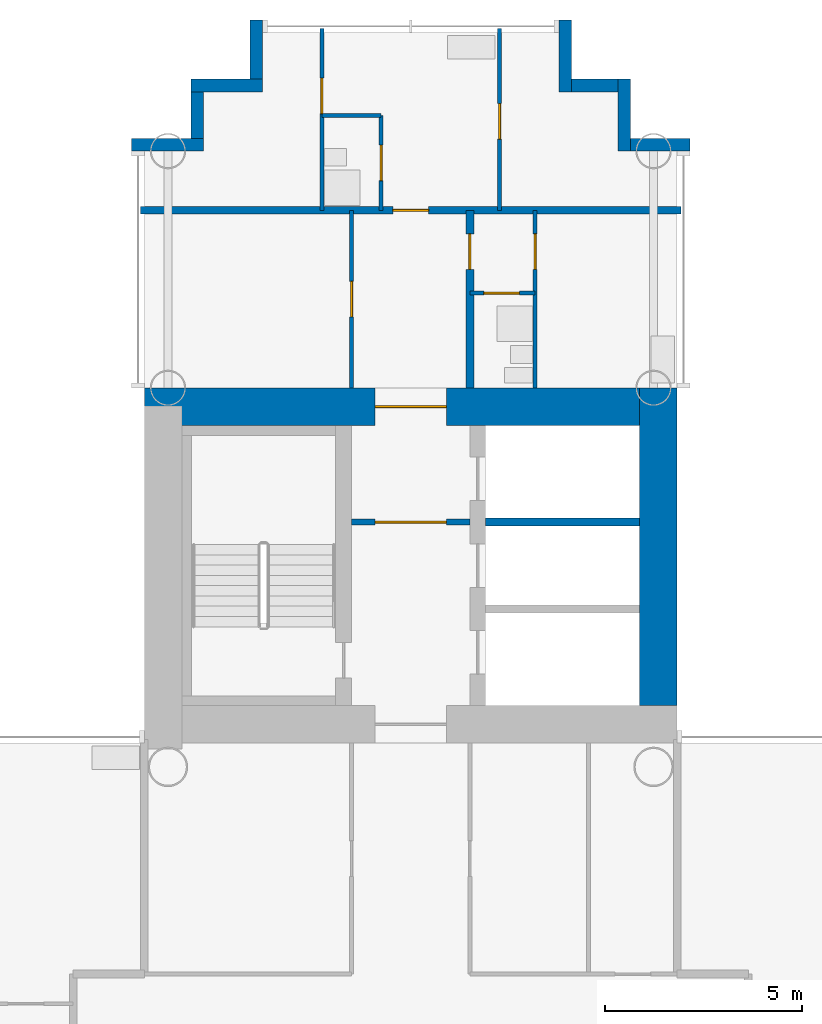
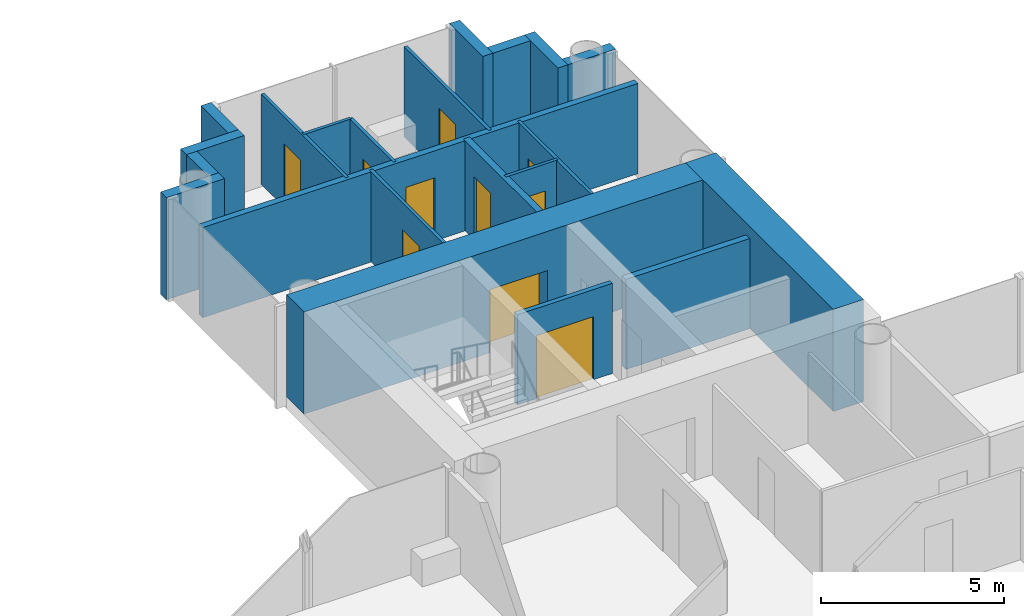
# One storey, part 14 of 21: 21 walls, 10 doors, 10 openings.
"""IFC4 building model written with IfcOpenShell, lengths in metres."""

from ifc_helpers import new_model, si_unit, direction, frame, frame_2d, origin, place, context, subcontext, project, spatial, rectangle, extrude, material, layer, layer_set, type_object, element, fill, save


model = new_model("IFC4")

# Units and contexts
model_context = context("Model", 3, precision=1e-05, world=origin(), true_north=direction((0.0, 1.0)))
body_context = subcontext(model_context, "Body", "Model", "MODEL_VIEW")
ifc_project = project(units=[si_unit("LENGTHUNIT", "METRE"), si_unit("AREAUNIT", "SQUARE_METRE"), si_unit("VOLUMEUNIT", "CUBIC_METRE"), si_unit("PLANEANGLEUNIT", "RADIAN"), si_unit("MASSUNIT", "GRAM", prefix="KILO")], contexts=[model_context])

# Site, building, storey
site_placement = place(None, origin())
site = spatial("IfcSite", under=ifc_project, at=site_placement, CompositionType="ELEMENT")
building_placement = place(site_placement, origin())
building = spatial("IfcBuilding", under=site, at=building_placement, Name="Ipe Terrace Towers", CompositionType="ELEMENT")
storey_placement = place(building_placement, frame((0.0, 0.0, 83.39990234375)))
storey = spatial("IfcBuildingStorey", under=building, at=storey_placement, Name="L22", CompositionType="ELEMENT", Elevation=83.39990234375)

# Walls
ifc_material_1 = material(Name="Concrete C40/50 with buff precast cladding", Category="concrete")
ifc_layer_1 = layer(ifc_material_1, 0.320068359375)
ifc_layer_set_1 = layer_set([ifc_layer_1], Name="BUFF CLADDING WALL 320")
wall_type_1 = type_object("IfcWallType", Name="BUFF CLADDING WALL 320", PredefinedType="STANDARD", material=ifc_layer_set_1)
wall_1_placement = place(storey_placement, frame((43.070068359375, 21.909912109375, -0.2998046875), z_axis=(0.0, 0.0, 1.0), x_axis=(-1.0, 0.0, 0.0)))
element("IfcWall", 1, at=wall_1_placement, inside=storey, type_object=wall_type_1, Name="T2-W-L22-17a wall", PredefinedType="STANDARD", context=body_context, shape_type="SweptSolid", body=[
    extrude(rectangle(XDim=1.5, YDim=0.320068359375, at=frame_2d((0.75, 0.0))), origin(), (0.0, 0.0, 1.0), 3.39990234375),
])
wall_2_placement = place(storey_placement, frame((41.409912109375, 21.75, -0.2998046875), z_axis=(0.0, 0.0, 1.0), x_axis=(0.0, 1.0, 0.0)))
element("IfcWall", 2, at=wall_2_placement, inside=storey, type_object=wall_type_1, Name="T2-W-L22-18a wall", PredefinedType="STANDARD", context=body_context, shape_type="SweptSolid", body=[
    extrude(rectangle(XDim=1.820068359375, YDim=0.320068359375, at=frame_2d((0.91015625, 0.0))), origin(), (0.0, 0.0, 1.0), 3.39990234375),
])
wall_3_placement = place(storey_placement, frame((41.25, 23.409912109375, -0.2998046875), z_axis=(0.0, 0.0, 1.0), x_axis=(-1.0, 0.0, 0.0)))
element("IfcWall", 3, at=wall_3_placement, inside=storey, type_object=wall_type_1, Name="T2-W-L22-19a wall", PredefinedType="STANDARD", context=body_context, shape_type="SweptSolid", body=[
    extrude(rectangle(XDim=1.179931640625, YDim=0.320068359375, at=frame_2d((0.58984375, 0.0))), origin(), (0.0, 0.0, 1.0), 3.39990234375),
])
wall_4_placement = place(storey_placement, frame((39.909912109375, 23.25, -0.2998046875), z_axis=(0.0, 0.0, 1.0), x_axis=(0.0, 1.0, 0.0)))
element("IfcWall", 4, at=wall_4_placement, inside=storey, type_object=wall_type_1, Name="T2-W-L22-20a wall", PredefinedType="STANDARD", context=body_context, shape_type="SweptSolid", body=[
    extrude(rectangle(XDim=1.820068359375, YDim=0.320068359375, at=frame_2d((0.91015625, 0.0))), origin(), (0.0, 0.0, 1.0), 3.39990234375),
])
wall_5_placement = place(storey_placement, frame((32.090087890625, 25.070068359375, -0.2998046875), z_axis=(0.0, 0.0, 1.0), x_axis=(0.0, -1.0, 0.0)))
element("IfcWall", 5, at=wall_5_placement, inside=storey, type_object=wall_type_1, Name="T2-W-L22-22a wall", PredefinedType="STANDARD", context=body_context, shape_type="SweptSolid", body=[
    extrude(rectangle(XDim=1.5, YDim=0.320068359375, at=frame_2d((0.75, 0.0))), origin(), (0.0, 0.0, 1.0), 3.39990234375),
])
wall_6_placement = place(storey_placement, frame((32.25, 23.409912109375, -0.2998046875), z_axis=(0.0, 0.0, 1.0), x_axis=(-1.0, 0.0, 0.0)))
element("IfcWall", 6, at=wall_6_placement, inside=storey, type_object=wall_type_1, Name="T2-W-L22-23a wall", PredefinedType="STANDARD", context=body_context, shape_type="SweptSolid", body=[
    extrude(rectangle(XDim=1.820068359375, YDim=0.320068359375, at=frame_2d((0.91015625, 0.0))), origin(), (0.0, 0.0, 1.0), 3.39990234375),
])
wall_7_placement = place(storey_placement, frame((30.590087890625, 23.25, -0.2998046875), z_axis=(0.0, 0.0, 1.0), x_axis=(0.0, -1.0, 0.0)))
element("IfcWall", 7, at=wall_7_placement, inside=storey, type_object=wall_type_1, Name="T2-W-L22-24a wall", PredefinedType="STANDARD", context=body_context, shape_type="SweptSolid", body=[
    extrude(rectangle(XDim=1.179931640625, YDim=0.320068359375, at=frame_2d((0.58984375, 0.0))), origin(), (0.0, 0.0, 1.0), 3.39990234375),
])
wall_8_placement = place(storey_placement, frame((30.75, 21.909912109375, -0.2998046875), z_axis=(0.0, 0.0, 1.0), x_axis=(-1.0, 0.0, 0.0)))
element("IfcWall", 8, at=wall_8_placement, inside=storey, type_object=wall_type_1, Name="T2-W-L22-25a wall", PredefinedType="STANDARD", context=body_context, shape_type="SweptSolid", body=[
    extrude(rectangle(XDim=1.820068359375, YDim=0.320068359375, at=frame_2d((0.91015625, 0.0))), origin(), (0.0, 0.0, 1.0), 3.39990234375),
])

# Wall, opening, door
ifc_material_2 = material(Name="Gypsum board partition", Category="plasterboard")
ifc_layer_2 = layer(ifc_material_2, 0.10009765625)
ifc_layer_set_2 = layer_set([ifc_layer_2], Name="Gypsum board partition 100 mm")
wall_type_2 = type_object("IfcWallType", Name="Gypsum board partition 100 mm", PredefinedType="PARTITIONING", material=ifc_layer_set_2)
wall_9_placement = place(storey_placement, frame((39.14990234375, 18.14990234375, 0.0), z_axis=(0.0, 0.0, 1.0), x_axis=(-1.0, 0.0, 0.0)))
wall_9 = element("IfcWall", 9, at=wall_9_placement, inside=storey, type_object=wall_type_2, Name="Gypsum board partition T2 L22 W16", PredefinedType="PARTITIONING", context=body_context, shape_type="SweptSolid", body=[
    extrude(rectangle(XDim=1.64990234375, YDim=0.10009765625, at=frame_2d((0.824951171875, 0.0))), origin(), (0.0, 0.0, 1.0), 3.0),
])
opening_1_placement = place(wall_9_placement, frame((0.39990234375, 0.0, 0.0)))
opening_1 = element("IfcOpeningElement", 10, at=opening_1_placement, cuts=wall_9, Name="Opening T2-Z2B-20", PredefinedType="OPENING", context=body_context, shape_type="SweptSolid", body=[
    extrude(rectangle(XDim=0.89990234375, YDim=2.10009765625, at=frame_2d((0.449951171875, 1.050048828125))), frame((0.0, 0.06005859375, 0.0), z_axis=(0.0, -1.0, 0.0), x_axis=(1.0, 0.0, 0.0)), (0.0, 0.0, 1.0), 0.1201171875),
])
ifc_material_3 = material(Name="Timber door leaf", Category="wood")
door_type_1 = type_object("IfcDoorType", Name="Bathroom door 900 x 2100", OperationType="NOTDEFINED", PredefinedType="DOOR", material=ifc_material_3)
door_1_placement = place(opening_1_placement, origin())
door_1 = element("IfcDoor", 11, at=door_1_placement, inside=storey, type_object=door_type_1, Name="Bathroom door T2-Z2B-20", OperationType="SINGLE_SWING_LEFT", OverallHeight=2.10009765625, OverallWidth=0.89990234375, PredefinedType="DOOR", context=body_context, shape_type="SweptSolid", body=[
    extrude(rectangle(XDim=0.89990234375, YDim=2.10009765625, at=frame_2d((0.449951171875, 1.050048828125))), frame((0.0, 0.02490234375, 0.0), z_axis=(0.0, -1.0, 0.0), x_axis=(1.0, 0.0, 0.0)), (0.0, 0.0, 1.0), 0.050048828125),
])
fill(opening_1, door_1)

# Wall
wall_10_placement = place(storey_placement, frame((35.25, 22.64990234375, 0.0), z_axis=(0.0, 0.0, 1.0), x_axis=(-1.0, 0.0, 0.0)))
element("IfcWall", 12, at=wall_10_placement, inside=storey, type_object=wall_type_2, Name="Gypsum board partition T2 L22 W18", PredefinedType="PARTITIONING", context=body_context, shape_type="SweptSolid", body=[
    extrude(rectangle(XDim=1.5, YDim=0.10009765625, at=frame_2d((0.75, 0.0))), origin(), (0.0, 0.0, 1.0), 3.0),
])

# Wall, opening, door
wall_11_placement = place(storey_placement, frame((39.14990234375, 15.75, 0.0), z_axis=(0.0, 0.0, 1.0), x_axis=(0.0, 1.0, 0.0)))
wall_11 = element("IfcWall", 13, at=wall_11_placement, inside=storey, type_object=wall_type_2, Name="Gypsum board partition T2 L22 W26", PredefinedType="PARTITIONING", context=body_context, shape_type="SweptSolid", body=[
    extrude(rectangle(XDim=4.5, YDim=0.10009765625, at=frame_2d((2.25, 0.0))), origin(), (0.0, 0.0, 1.0), 3.0),
])
opening_2_placement = place(wall_11_placement, frame((3.0, 0.0, 0.0)))
opening_2 = element("IfcOpeningElement", 14, at=opening_2_placement, cuts=wall_11, Name="Opening T2-Z2B-19", PredefinedType="OPENING", context=body_context, shape_type="SweptSolid", body=[
    extrude(rectangle(XDim=0.89990234375, YDim=2.10009765625, at=frame_2d((0.449951171875, 1.050048828125))), frame((0.0, 0.06005859375, 0.0), z_axis=(0.0, -1.0, 0.0), x_axis=(1.0, 0.0, 0.0)), (0.0, 0.0, 1.0), 0.1201171875),
])
ifc_material_4 = material(Name="Timber door leaf", Category="wood")
door_type_2 = type_object("IfcDoorType", Name="Bedroom door 900 x 2100", OperationType="NOTDEFINED", PredefinedType="DOOR", material=ifc_material_4)
door_2_placement = place(opening_2_placement, origin())
door_2 = element("IfcDoor", 15, at=door_2_placement, inside=storey, type_object=door_type_2, Name="Bedroom door T2-Z2B-19", OperationType="SINGLE_SWING_RIGHT", OverallHeight=2.10009765625, OverallWidth=0.89990234375, PredefinedType="DOOR", context=body_context, shape_type="SweptSolid", body=[
    extrude(rectangle(XDim=0.89990234375, YDim=2.10009765625, at=frame_2d((0.449951171875, 1.050048828125))), frame((0.0, 0.02490234375, 0.0), z_axis=(0.0, -1.0, 0.0), x_axis=(1.0, 0.0, 0.0)), (0.0, 0.0, 1.0), 0.050048828125),
])
fill(opening_2, door_2)

wall_12_placement = place(storey_placement, frame((38.25, 20.25, 0.0), z_axis=(0.0, 0.0, 1.0), x_axis=(0.0, 1.0, 0.0)))
wall_12 = element("IfcWall", 16, at=wall_12_placement, inside=storey, type_object=wall_type_2, Name="Gypsum board partition T2 L22 W27", PredefinedType="PARTITIONING", context=body_context, shape_type="SweptSolid", body=[
    extrude(rectangle(XDim=4.60009765625, YDim=0.10009765625, at=frame_2d((2.300048828125, 0.0))), origin(), (0.0, 0.0, 1.0), 3.0),
])
opening_3_placement = place(wall_12_placement, frame((1.800048828125, 0.0, 0.0)))
opening_3 = element("IfcOpeningElement", 17, at=opening_3_placement, cuts=wall_12, Name="Opening T2-Z2B-24", PredefinedType="OPENING", context=body_context, shape_type="SweptSolid", body=[
    extrude(rectangle(XDim=0.89990234375, YDim=2.10009765625, at=frame_2d((0.449951171875, 1.050048828125))), frame((0.0, 0.06005859375, 0.0), z_axis=(0.0, -1.0, 0.0), x_axis=(1.0, 0.0, 0.0)), (0.0, 0.0, 1.0), 0.1201171875),
])
ifc_material_5 = material(Name="Timber door leaf", Category="wood")
door_type_3 = type_object("IfcDoorType", Name="Lounge door 900 x 2100", OperationType="NOTDEFINED", PredefinedType="DOOR", material=ifc_material_5)
door_3_placement = place(opening_3_placement, origin())
door_3 = element("IfcDoor", 18, at=door_3_placement, inside=storey, type_object=door_type_3, Name="Lounge door T2-Z2B-24", OperationType="SINGLE_SWING_LEFT", OverallHeight=2.10009765625, OverallWidth=0.89990234375, PredefinedType="DOOR", context=body_context, shape_type="SweptSolid", body=[
    extrude(rectangle(XDim=0.89990234375, YDim=2.10009765625, at=frame_2d((0.449951171875, 1.050048828125))), frame((0.0, 0.02490234375, 0.0), z_axis=(0.0, -1.0, 0.0), x_axis=(1.0, 0.0, 0.0)), (0.0, 0.0, 1.0), 0.050048828125),
])
fill(opening_3, door_3)

wall_13_placement = place(storey_placement, frame((35.25, 20.25, 0.0), z_axis=(0.0, 0.0, 1.0), x_axis=(0.0, 1.0, 0.0)))
wall_13 = element("IfcWall", 19, at=wall_13_placement, inside=storey, type_object=wall_type_2, Name="Gypsum board partition T2 L22 W31", PredefinedType="PARTITIONING", context=body_context, shape_type="SweptSolid", body=[
    extrude(rectangle(XDim=2.39990234375, YDim=0.10009765625, at=frame_2d((1.199951171875, 0.0))), origin(), (0.0, 0.0, 1.0), 3.0),
])
opening_4_placement = place(wall_13_placement, frame((0.75, 0.0, 0.0)))
opening_4 = element("IfcOpeningElement", 20, at=opening_4_placement, cuts=wall_13, Name="Opening T2-Z2B-21", PredefinedType="OPENING", context=body_context, shape_type="SweptSolid", body=[
    extrude(rectangle(XDim=0.89990234375, YDim=2.10009765625, at=frame_2d((0.449951171875, 1.050048828125))), frame((0.0, 0.06005859375, 0.0), z_axis=(0.0, -1.0, 0.0), x_axis=(1.0, 0.0, 0.0)), (0.0, 0.0, 1.0), 0.1201171875),
])
door_4_placement = place(opening_4_placement, origin())
door_4 = element("IfcDoor", 21, at=door_4_placement, inside=storey, type_object=door_type_1, Name="Bathroom door T2-Z2B-21", OperationType="SINGLE_SWING_LEFT", OverallHeight=2.10009765625, OverallWidth=0.89990234375, PredefinedType="DOOR", context=body_context, shape_type="SweptSolid", body=[
    extrude(rectangle(XDim=0.89990234375, YDim=2.10009765625, at=frame_2d((0.449951171875, 1.050048828125))), frame((0.0, 0.02490234375, 0.0), z_axis=(0.0, -1.0, 0.0), x_axis=(1.0, 0.0, 0.0)), (0.0, 0.0, 1.0), 0.050048828125),
])
fill(opening_4, door_4)

wall_14_placement = place(storey_placement, frame((34.5, 15.75, 0.0), z_axis=(0.0, 0.0, 1.0), x_axis=(0.0, 1.0, 0.0)))
wall_14 = element("IfcWall", 22, at=wall_14_placement, inside=storey, type_object=wall_type_2, Name="Gypsum board partition T2 L22 W34", PredefinedType="PARTITIONING", context=body_context, shape_type="SweptSolid", body=[
    extrude(rectangle(XDim=4.5, YDim=0.10009765625, at=frame_2d((2.25, 0.0))), origin(), (0.0, 0.0, 1.0), 3.0),
])
opening_5_placement = place(wall_14_placement, frame((1.800048828125, 0.0, 0.0)))
opening_5 = element("IfcOpeningElement", 23, at=opening_5_placement, cuts=wall_14, Name="Opening T2-Z2B-17", PredefinedType="OPENING", context=body_context, shape_type="SweptSolid", body=[
    extrude(rectangle(XDim=0.89990234375, YDim=2.10009765625, at=frame_2d((0.449951171875, 1.050048828125))), frame((0.0, 0.06005859375, 0.0), z_axis=(0.0, -1.0, 0.0), x_axis=(1.0, 0.0, 0.0)), (0.0, 0.0, 1.0), 0.1201171875),
])
door_5_placement = place(opening_5_placement, origin())
door_5 = element("IfcDoor", 24, at=door_5_placement, inside=storey, type_object=door_type_3, Name="Lounge door T2-Z2B-17", OperationType="SINGLE_SWING_LEFT", OverallHeight=2.10009765625, OverallWidth=0.89990234375, PredefinedType="DOOR", context=body_context, shape_type="SweptSolid", body=[
    extrude(rectangle(XDim=0.89990234375, YDim=2.10009765625, at=frame_2d((0.449951171875, 1.050048828125))), frame((0.0, 0.02490234375, 0.0), z_axis=(0.0, -1.0, 0.0), x_axis=(1.0, 0.0, 0.0)), (0.0, 0.0, 1.0), 0.050048828125),
])
fill(opening_5, door_5)

wall_15_placement = place(storey_placement, frame((33.75, 20.25, 0.0), z_axis=(0.0, 0.0, 1.0), x_axis=(0.0, 1.0, 0.0)))
wall_15 = element("IfcWall", 25, at=wall_15_placement, inside=storey, type_object=wall_type_2, Name="Gypsum board partition T2 L22 W35", PredefinedType="PARTITIONING", context=body_context, shape_type="SweptSolid", body=[
    extrude(rectangle(XDim=4.60009765625, YDim=0.10009765625, at=frame_2d((2.300048828125, 0.0))), origin(), (0.0, 0.0, 1.0), 3.0),
])
opening_6_placement = place(wall_15_placement, frame((2.449951171875, 0.0, 0.0)))
opening_6 = element("IfcOpeningElement", 26, at=opening_6_placement, cuts=wall_15, Name="Opening T2-Z2B-23", PredefinedType="OPENING", context=body_context, shape_type="SweptSolid", body=[
    extrude(rectangle(XDim=0.89990234375, YDim=2.10009765625, at=frame_2d((0.449951171875, 1.050048828125))), frame((0.0, 0.06005859375, 0.0), z_axis=(0.0, -1.0, 0.0), x_axis=(1.0, 0.0, 0.0)), (0.0, 0.0, 1.0), 0.1201171875),
])
door_6_placement = place(opening_6_placement, origin())
door_6 = element("IfcDoor", 27, at=door_6_placement, inside=storey, type_object=door_type_3, Name="Lounge door T2-Z2B-23", OperationType="SINGLE_SWING_LEFT", OverallHeight=2.10009765625, OverallWidth=0.89990234375, PredefinedType="DOOR", context=body_context, shape_type="SweptSolid", body=[
    extrude(rectangle(XDim=0.89990234375, YDim=2.10009765625, at=frame_2d((0.449951171875, 1.050048828125))), frame((0.0, 0.02490234375, 0.0), z_axis=(0.0, -1.0, 0.0), x_axis=(1.0, 0.0, 0.0)), (0.0, 0.0, 1.0), 0.050048828125),
])
fill(opening_6, door_6)

ifc_material_6 = material(Name="Gypsum board partition", Category="plasterboard")
ifc_layer_3 = layer(ifc_material_6, 0.14990234375)
ifc_layer_set_3 = layer_set([ifc_layer_3], Name="Gypsum board partition 150 mm")
wall_type_3 = type_object("IfcWallType", Name="Gypsum board partition 150 mm", PredefinedType="PARTITIONING", material=ifc_layer_set_3)
wall_16_placement = place(storey_placement, frame((37.5, 12.35009765625, 0.0), z_axis=(0.0, 0.0, 1.0), x_axis=(-1.0, 0.0, 0.0)))
wall_16 = element("IfcWall", 28, at=wall_16_placement, inside=storey, type_object=wall_type_3, Name="Gypsum board partition T2 L22 t2c1-lobby-wall", PredefinedType="PARTITIONING", context=body_context, shape_type="SweptSolid", body=[
    extrude(rectangle(XDim=3.0, YDim=0.14990234375, at=frame_2d((1.5, 0.0))), origin(), (0.0, 0.0, 1.0), 3.0),
])
opening_7_placement = place(wall_16_placement, frame((0.60009765625, 0.0, 0.0)))
opening_7 = element("IfcOpeningElement", 29, at=opening_7_placement, cuts=wall_16, Name="Opening T2C1-VD", PredefinedType="OPENING", context=body_context, shape_type="SweptSolid", body=[
    extrude(rectangle(XDim=1.800048828125, YDim=2.10009765625, at=frame_2d((0.89990234375, 1.050048828125))), frame((0.0, 0.0849609375, 0.0), z_axis=(0.0, -1.0, 0.0), x_axis=(1.0, 0.0, 0.0)), (0.0, 0.0, 1.0), 0.169921875),
])
ifc_material_7 = material(Name="Fire-rated timber door leaf", Category="wood")
door_type_4 = type_object("IfcDoorType", Name="Lobby door 1800 x 2100 FD60", OperationType="NOTDEFINED", PredefinedType="DOOR", material=ifc_material_7)
door_7_placement = place(opening_7_placement, origin())
door_7 = element("IfcDoor", 30, at=door_7_placement, inside=storey, type_object=door_type_4, Name="Lobby door T2C1-VD", OperationType="SINGLE_SWING_LEFT", OverallHeight=2.10009765625, OverallWidth=1.800048828125, PredefinedType="DOOR", context=body_context, shape_type="SweptSolid", body=[
    extrude(rectangle(XDim=1.800048828125, YDim=2.10009765625, at=frame_2d((0.89990234375, 1.050048828125))), frame((0.0, 0.02490234375, 0.0), z_axis=(0.0, -1.0, 0.0), x_axis=(1.0, 0.0, 0.0)), (0.0, 0.0, 1.0), 0.050048828125),
])
fill(opening_7, door_7)

# Wall
ifc_material_8 = material(Name="Gypsum board party wall", Category="plasterboard")
ifc_layer_4 = layer(ifc_material_8, 0.199951171875)
ifc_layer_set_4 = layer_set([ifc_layer_4], Name="Gypsum board party wall 200 mm")
wall_type_4 = type_object("IfcWallType", Name="Gypsum board party wall 200 mm", PredefinedType="SOLIDWALL", material=ifc_layer_set_4)
wall_17_placement = place(storey_placement, frame((41.800048828125, 12.35009765625, 0.0), z_axis=(0.0, 0.0, 1.0), x_axis=(-1.0, 0.0, 0.0)))
element("IfcWall", 31, at=wall_17_placement, inside=storey, type_object=wall_type_4, Name="Gypsum board party wall T2 L22 t2c1-shaft-div2", PredefinedType="SOLIDWALL", context=body_context, shape_type="SweptSolid", body=[
    extrude(rectangle(XDim=3.900146484375, YDim=0.199951171875, at=frame_2d((1.9501953125, 0.0))), origin(), (0.0, 0.0, 1.0), 3.0),
])

# Wall, opening, door
wall_18_placement = place(storey_placement, frame((42.85009765625, 20.25, 0.0), z_axis=(0.0, 0.0, 1.0), x_axis=(-1.0, 0.0, 0.0)))
wall_18 = element("IfcWall", 32, at=wall_18_placement, inside=storey, type_object=wall_type_4, Name="Gypsum board party wall T2 L22 W17", PredefinedType="SOLIDWALL", context=body_context, shape_type="SweptSolid", body=[
    extrude(rectangle(XDim=13.7001953125, YDim=0.199951171875, at=frame_2d((6.85009765625, 0.0))), origin(), (0.0, 0.0, 1.0), 3.0),
])
opening_8_placement = place(wall_18_placement, frame((6.39990234375, 0.0, 0.0)))
opening_8 = element("IfcOpeningElement", 33, at=opening_8_placement, cuts=wall_18, Name="Opening T2-Z2B-22", PredefinedType="OPENING", context=body_context, shape_type="SweptSolid", body=[
    extrude(rectangle(XDim=0.89990234375, YDim=2.10009765625, at=frame_2d((0.449951171875, 1.050048828125))), frame((0.0, 0.10986328125, 0.0), z_axis=(0.0, -1.0, 0.0), x_axis=(1.0, 0.0, 0.0)), (0.0, 0.0, 1.0), 0.219970703125),
])
ifc_material_9 = material(Name="Fire-rated timber door leaf", Category="wood")
door_type_5 = type_object("IfcDoorType", Name="Flat entrance door 900 x 2100 FD30S", OperationType="NOTDEFINED", PredefinedType="DOOR", material=ifc_material_9)
door_8_placement = place(opening_8_placement, origin())
door_8 = element("IfcDoor", 34, at=door_8_placement, inside=storey, type_object=door_type_5, Name="Flat entrance door T2-Z2B-22", OperationType="SINGLE_SWING_RIGHT", OverallHeight=2.10009765625, OverallWidth=0.89990234375, PredefinedType="DOOR", context=body_context, shape_type="SweptSolid", body=[
    extrude(rectangle(XDim=0.89990234375, YDim=2.10009765625, at=frame_2d((0.449951171875, 1.050048828125))), frame((0.0, 0.02490234375, 0.0), z_axis=(0.0, -1.0, 0.0), x_axis=(1.0, 0.0, 0.0)), (0.0, 0.0, 1.0), 0.050048828125),
])
fill(opening_8, door_8)

wall_19_placement = place(storey_placement, frame((37.5, 15.75, 0.0), z_axis=(0.0, 0.0, 1.0), x_axis=(0.0, 1.0, 0.0)))
wall_19 = element("IfcWall", 35, at=wall_19_placement, inside=storey, type_object=wall_type_4, Name="Gypsum board party wall T2 L22 W30", PredefinedType="SOLIDWALL", context=body_context, shape_type="SweptSolid", body=[
    extrude(rectangle(XDim=4.5, YDim=0.199951171875, at=frame_2d((2.25, 0.0))), origin(), (0.0, 0.0, 1.0), 3.0),
])
opening_9_placement = place(wall_19_placement, frame((3.0, 0.0, 0.0)))
opening_9 = element("IfcOpeningElement", 36, at=opening_9_placement, cuts=wall_19, Name="Opening T2-Z2B-18", PredefinedType="OPENING", context=body_context, shape_type="SweptSolid", body=[
    extrude(rectangle(XDim=0.89990234375, YDim=2.10009765625, at=frame_2d((0.449951171875, 1.050048828125))), frame((0.0, 0.10986328125, 0.0), z_axis=(0.0, -1.0, 0.0), x_axis=(1.0, 0.0, 0.0)), (0.0, 0.0, 1.0), 0.219970703125),
])
door_9_placement = place(opening_9_placement, origin())
door_9 = element("IfcDoor", 37, at=door_9_placement, inside=storey, type_object=door_type_5, Name="Flat entrance door T2-Z2B-18", OperationType="SINGLE_SWING_RIGHT", OverallHeight=2.10009765625, OverallWidth=0.89990234375, PredefinedType="DOOR", context=body_context, shape_type="SweptSolid", body=[
    extrude(rectangle(XDim=0.89990234375, YDim=2.10009765625, at=frame_2d((0.449951171875, 1.050048828125))), frame((0.0, 0.02490234375, 0.0), z_axis=(0.0, -1.0, 0.0), x_axis=(1.0, 0.0, 0.0)), (0.0, 0.0, 1.0), 0.050048828125),
])
fill(opening_9, door_9)

# Wall
ifc_material_10 = material(Name="Concrete C50/60", Category="concrete")
ifc_layer_5 = layer(ifc_material_10, 0.949951171875)
ifc_layer_set_5 = layer_set([ifc_layer_5], Name="RW950 CORE WALL 950 C50-60")
wall_type_5 = type_object("IfcWallType", Name="RW950 CORE WALL 950 C50-60", PredefinedType="SHEAR", material=ifc_layer_set_5)
wall_20_placement = place(storey_placement, frame((42.27490234375, 7.699951171875, 0.0), z_axis=(0.0, 0.0, 1.0), x_axis=(0.0, 1.0, 0.0)))
element("IfcWall", 38, at=wall_20_placement, inside=storey, type_object=wall_type_5, Name="Core wall T2-C1-Z2-W02", PredefinedType="SHEAR", context=body_context, shape_type="SweptSolid", body=[
    extrude(rectangle(XDim=8.050048828125, YDim=0.949951171875, at=frame_2d((4.02490234375, 0.0))), origin(), (0.0, 0.0, 1.0), 3.400146484375),
])

# Wall, opening, door
wall_21_placement = place(storey_placement, frame((41.800048828125, 15.27490234375, 0.0), z_axis=(0.0, 0.0, 1.0), x_axis=(-1.0, 0.0, 0.0)))
wall_21 = element("IfcWall", 39, at=wall_21_placement, inside=storey, type_object=wall_type_5, Name="Core wall T2-C1-Z2-W03", PredefinedType="SHEAR", context=body_context, shape_type="SweptSolid", body=[
    extrude(rectangle(XDim=12.550048828125, YDim=0.949951171875, at=frame_2d((6.27490234375, 0.0))), origin(), (0.0, 0.0, 1.0), 3.400146484375),
])
opening_10_placement = place(wall_21_placement, frame((4.89990234375, 0.0, 0.0)))
opening_10 = element("IfcOpeningElement", 40, at=opening_10_placement, cuts=wall_21, Name="Opening T2C1-FD", PredefinedType="OPENING", context=body_context, shape_type="SweptSolid", body=[
    extrude(rectangle(XDim=1.800048828125, YDim=2.10009765625, at=frame_2d((0.89990234375, 1.050048828125))), frame((0.0, 0.48486328125, 0.0), z_axis=(0.0, -1.0, 0.0), x_axis=(1.0, 0.0, 0.0)), (0.0, 0.0, 1.0), 0.969970703125),
])
ifc_material_11 = material(Name="Fire-rated timber door leaf", Category="wood")
door_type_6 = type_object("IfcDoorType", Name="Fire door 1800 x 2100 FD30S", OperationType="NOTDEFINED", PredefinedType="DOOR", material=ifc_material_11)
door_10_placement = place(opening_10_placement, origin())
door_10 = element("IfcDoor", 41, at=door_10_placement, inside=storey, type_object=door_type_6, Name="Fire door T2C1-FD", OperationType="SINGLE_SWING_LEFT", OverallHeight=2.10009765625, OverallWidth=1.800048828125, PredefinedType="DOOR", context=body_context, shape_type="SweptSolid", body=[
    extrude(rectangle(XDim=1.800048828125, YDim=2.10009765625, at=frame_2d((0.89990234375, 1.050048828125))), frame((0.0, 0.02490234375, 0.0), z_axis=(0.0, -1.0, 0.0), x_axis=(1.0, 0.0, 0.0)), (0.0, 0.0, 1.0), 0.050048828125),
])
fill(opening_10, door_10)

save(model, "model.ifc")
